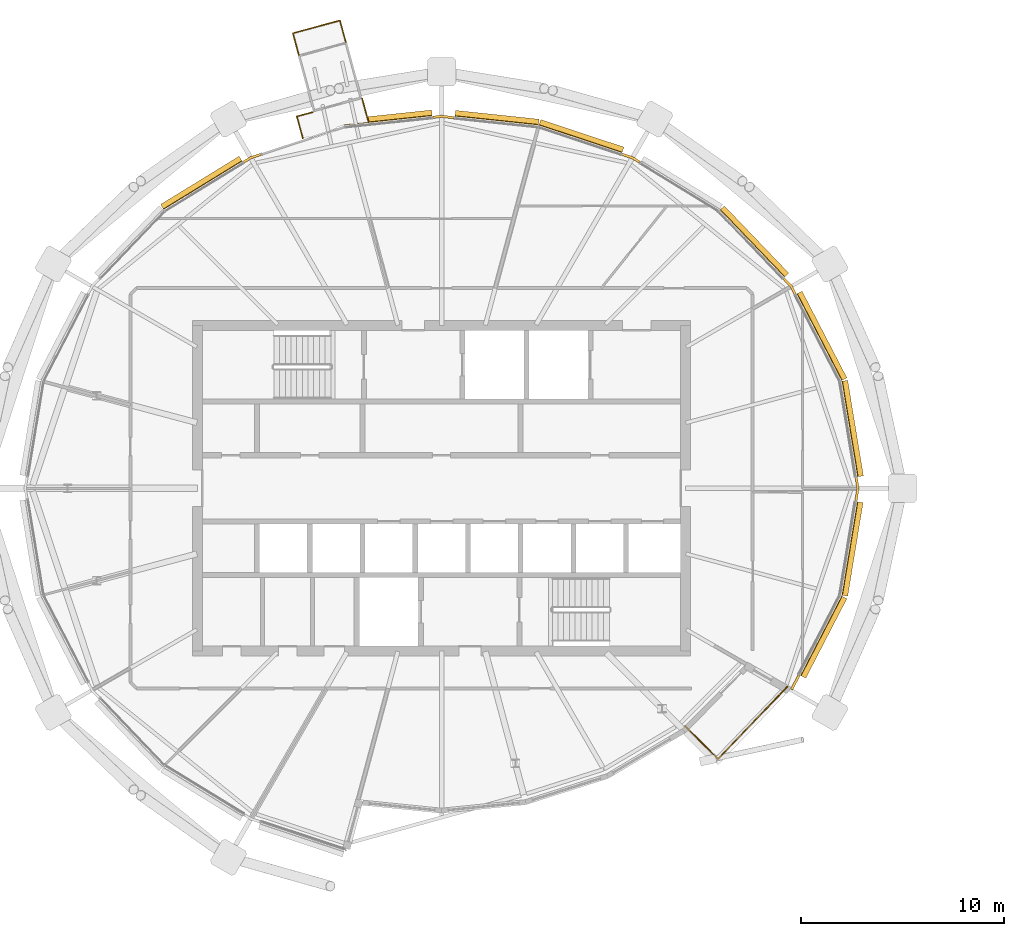
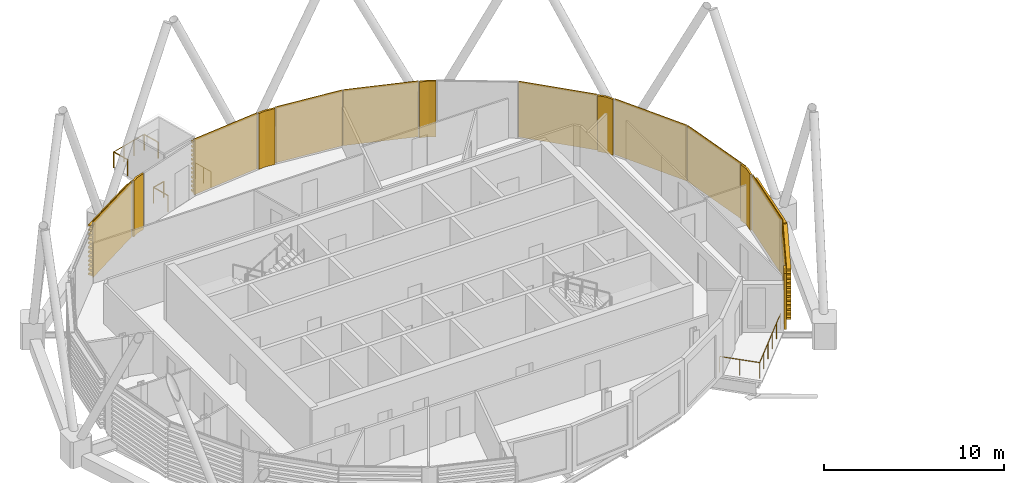
# One storey, part 29 of 32: 15 coverings, 7 railings.
"""IFC4 building model written with IfcOpenShell, lengths in metres."""

from ifc_helpers import new_model, si_unit, direction, frame, origin, origin_2d, place, context, subcontext, project, spatial, polyline, circle, outline, extrude, material, layer, layer_set, material_profile, profile_set, type_object, element, save


model = new_model("IFC4")

# Units and contexts
model_context = context("Model", 3, precision=1e-05, world=origin(), true_north=direction((0.0, 1.0)))
body_context = subcontext(model_context, "Body", "Model", "MODEL_VIEW")
ifc_project = project(units=[si_unit("LENGTHUNIT", "METRE"), si_unit("AREAUNIT", "SQUARE_METRE"), si_unit("VOLUMEUNIT", "CUBIC_METRE"), si_unit("PLANEANGLEUNIT", "RADIAN"), si_unit("MASSUNIT", "GRAM", prefix="KILO")], contexts=[model_context])

# Site, building, storey
site_placement = place(None, origin())
site = spatial("IfcSite", under=ifc_project, at=site_placement, CompositionType="ELEMENT")
building_placement = place(site_placement, origin())
building = spatial("IfcBuilding", under=site, at=building_placement, Name="Rimbun Link Towers", CompositionType="ELEMENT")
storey_placement = place(building_placement, frame((0.0, 0.0, 233.300048828125)))
storey = spatial("IfcBuildingStorey", under=building, at=storey_placement, Name="L57", CompositionType="ELEMENT", Elevation=233.300048828125)

# Railings
ifc_material_1 = material(Name="Stainless steel grade 316", Category="steel")
railing_type = type_object("IfcRailingType", Name="GUARD stainless rail and posts", PredefinedType="GUARDRAIL", material=ifc_material_1)
railing_1_placement = place(storey_placement, frame((-19.77294921875, -11.6943359375, 0.0)))
element("IfcRailing", 1, at=railing_1_placement, inside=storey, type_object=railing_type, Name="GUARD", PredefinedType="GUARDRAIL", context=body_context, shape_type="SweptSolid", body=[
    extrude(circle(Radius=0.02392578125, at=origin_2d()), frame((0.0, 0.0, 1.076171875), z_axis=(0.707159949109, -0.707053609267, 0.0), x_axis=(0.707053609267, 0.707159949109, 0.0)), (0.0, 0.0, 1.0), 2.2958984375),
    extrude(circle(Radius=0.02392578125, at=origin_2d()), frame((1.62353515625, -1.623291015625, 1.076171875), z_axis=(0.692046459696, 0.72185296122, 0.0), x_axis=(-0.72185296122, 0.692046459696, 0.0)), (0.0, 0.0, 1.0), 4.922607421875),
    extrude(circle(Radius=0.02099609375, at=origin_2d()), origin(), (0.0, 0.0, 1.0), 1.052001953125),
    extrude(circle(Radius=0.02099609375, at=origin_2d()), frame((0.811767578125, -0.8115234375, 0.0)), (0.0, 0.0, 1.0), 1.052001953125),
    extrude(circle(Radius=0.02099609375, at=origin_2d()), frame((1.62353515625, -1.623291015625, 0.0)), (0.0, 0.0, 1.0), 1.052001953125),
    extrude(circle(Radius=0.02099609375, at=origin_2d()), frame((2.304931640625, -0.91259765625, 0.0)), (0.0, 0.0, 1.0), 1.052001953125),
    extrude(circle(Radius=0.02099609375, at=origin_2d()), frame((2.986328125, -0.201904296875, 0.0)), (0.0, 0.0, 1.0), 1.052001953125),
    extrude(circle(Radius=0.02099609375, at=origin_2d()), frame((3.66748046875, 0.5087890625, 0.0)), (0.0, 0.0, 1.0), 1.052001953125),
    extrude(circle(Radius=0.02099609375, at=origin_2d()), frame((4.348876953125, 1.219482421875, 0.0)), (0.0, 0.0, 1.0), 1.052001953125),
    extrude(circle(Radius=0.02099609375, at=origin_2d()), frame((5.0302734375, 1.93017578125, 0.0)), (0.0, 0.0, 1.0), 1.052001953125),
])
railing_2_placement = place(storey_placement, frame((-36.462158203125, 21.953125, 0.0)))
element("IfcRailing", 2, at=railing_2_placement, inside=storey, type_object=railing_type, Name="GUARD D571.01 balcony", PredefinedType="GUARDRAIL", context=body_context, shape_type="SweptSolid", body=[
    extrude(circle(Radius=0.02392578125, at=origin_2d()), frame((0.0, 0.0, 1.076171875), z_axis=(-0.261708438276, 0.965146980172, 0.0), x_axis=(-0.965146980172, -0.261708438276, 0.0)), (0.0, 0.0, 1.0), 1.099853515625),
    extrude(circle(Radius=0.02099609375, at=origin_2d()), origin(), (0.0, 0.0, 1.0), 1.052001953125),
    extrude(circle(Radius=0.02099609375, at=origin_2d()), frame((-0.287841796875, 1.0615234375, 0.0)), (0.0, 0.0, 1.0), 1.052001953125),
])
railing_3_placement = place(storey_placement, frame((-36.75, 23.0146484375, 0.0)))
element("IfcRailing", 3, at=railing_3_placement, inside=storey, type_object=railing_type, Name="GUARD D571.01 balcony", PredefinedType="GUARDRAIL", context=body_context, shape_type="SweptSolid", body=[
    extrude(circle(Radius=0.02392578125, at=origin_2d()), frame((0.0, 0.0, 1.076171875), z_axis=(-0.965115063511, -0.261826114405, 0.0), x_axis=(0.261826114405, -0.965115063511, 0.0)), (0.0, 0.0, 1.0), 2.400146484375),
    extrude(circle(Radius=0.02099609375, at=origin_2d()), origin(), (0.0, 0.0, 1.0), 1.052001953125),
    extrude(circle(Radius=0.02099609375, at=origin_2d()), frame((-0.772216796875, -0.20947265625, 0.0)), (0.0, 0.0, 1.0), 1.052001953125),
    extrude(circle(Radius=0.02099609375, at=origin_2d()), frame((-1.544189453125, -0.4189453125, 0.0)), (0.0, 0.0, 1.0), 1.052001953125),
    extrude(circle(Radius=0.02099609375, at=origin_2d()), frame((-2.31640625, -0.62841796875, 0.0)), (0.0, 0.0, 1.0), 1.052001953125),
])
railing_4_placement = place(storey_placement, frame((-39.06640625, 22.38623046875, 0.0)))
element("IfcRailing", 4, at=railing_4_placement, inside=storey, type_object=railing_type, Name="GUARD D571.01 balcony", PredefinedType="GUARDRAIL", context=body_context, shape_type="SweptSolid", body=[
    extrude(circle(Radius=0.02392578125, at=origin_2d()), frame((0.0, 0.0, 1.076171875), z_axis=(0.261915191828, -0.965090893279, 0.0), x_axis=(0.965090893279, 0.261915191828, 0.0)), (0.0, 0.0, 1.0), 1.099853515625),
    extrude(circle(Radius=0.02099609375, at=origin_2d()), origin(), (0.0, 0.0, 1.0), 1.052001953125),
    extrude(circle(Radius=0.02099609375, at=origin_2d()), frame((0.2880859375, -1.0615234375, 0.0)), (0.0, 0.0, 1.0), 1.052001953125),
])
railing_5_placement = place(storey_placement, frame((-38.871337890625, 18.294677734375, 0.0)))
element("IfcRailing", 5, at=railing_5_placement, inside=storey, type_object=railing_type, Name="GUARD D571 gallery", PredefinedType="GUARDRAIL", context=body_context, shape_type="SweptSolid", body=[
    extrude(circle(Radius=0.02392578125, at=origin_2d()), frame((0.0, 0.0, 1.076171875), z_axis=(0.261872945321, -0.965102357529, 0.0), x_axis=(0.965102357529, 0.261872945321, 0.0)), (0.0, 0.0, 1.0), 1.12890625),
    extrude(circle(Radius=0.02099609375, at=origin_2d()), origin(), (0.0, 0.0, 1.0), 1.052001953125),
    extrude(circle(Radius=0.02099609375, at=origin_2d()), frame((0.295654296875, -1.089599609375, 0.0)), (0.0, 0.0, 1.0), 1.052001953125),
])
railing_6_placement = place(storey_placement, frame((-35.654541015625, 19.167236328125, 0.0)))
element("IfcRailing", 6, at=railing_6_placement, inside=storey, type_object=railing_type, Name="GUARD D571 gallery", PredefinedType="GUARDRAIL", context=body_context, shape_type="SweptSolid", body=[
    extrude(circle(Radius=0.02392578125, at=origin_2d()), frame((0.0, 0.0, 1.076171875), z_axis=(0.261896563723, -0.965095948551, 0.0), x_axis=(0.965095948551, 0.261896563723, 0.0)), (0.0, 0.0, 1.0), 1.20166015625),
    extrude(circle(Radius=0.02099609375, at=origin_2d()), origin(), (0.0, 0.0, 1.0), 1.052001953125),
    extrude(circle(Radius=0.02099609375, at=origin_2d()), frame((0.1572265625, -0.579833984375, 0.0)), (0.0, 0.0, 1.0), 1.052001953125),
    extrude(circle(Radius=0.02099609375, at=origin_2d()), frame((0.314697265625, -1.15966796875, 0.0)), (0.0, 0.0, 1.0), 1.052001953125),
])
railing_7_placement = place(storey_placement, frame((-38.871337890625, 18.294677734375, 0.0)))
element("IfcRailing", 7, at=railing_7_placement, inside=storey, type_object=railing_type, Name="GUARD D571 gallery", PredefinedType="GUARDRAIL", context=body_context, shape_type="SweptSolid", body=[
    extrude(circle(Radius=0.02392578125, at=origin_2d()), frame((0.0, 0.0, 1.076171875), z_axis=(0.965141629258, 0.261728170958, 0.0), x_axis=(-0.261728170958, 0.965141629258, 0.0)), (0.0, 0.0, 1.0), 0.80322265625),
    extrude(circle(Radius=0.02099609375, at=origin_2d()), origin(), (0.0, 0.0, 1.0), 1.052001953125),
    extrude(circle(Radius=0.02099609375, at=origin_2d()), frame((0.775146484375, 0.210205078125, 0.0)), (0.0, 0.0, 1.0), 1.052001953125),
])

# Coverings
ifc_material_2 = material(Name="Terracotta", Category="masonry")
ifc_layer = layer(ifc_material_2, 0.1201171875)
ifc_layer_set = layer_set([ifc_layer], Name="LINK PIER terracotta cladding 120")
covering_type_1 = type_object("IfcCoveringType", Name="LINK PIER terracotta cladding 120", PredefinedType="CLADDING", material=ifc_layer_set)
covering_1_placement = place(storey_placement, origin())
element("IfcCovering", 8, at=covering_1_placement, inside=storey, type_object=covering_type_1, Name="LINK PIER cladding", PredefinedType="CLADDING", context=body_context, shape_type="SweptSolid", body=[
    extrude(outline(polyline([(-11.4091796875, 0.51318359375), (-11.32470703125, 0.0), (-11.42529296875, -0.61181640625), (-11.306884765625, -0.63134765625), (-11.203125, 0.0), (-11.290771484375, 0.532470703125), (-11.4091796875, 0.51318359375)])), origin(), (0.0, 0.0, 1.0), 3.800048828125),
])
covering_2_placement = place(storey_placement, origin())
element("IfcCovering", 9, at=covering_2_placement, inside=storey, type_object=covering_type_1, Name="LINK PIER cladding", PredefinedType="CLADDING", context=body_context, shape_type="SweptSolid", body=[
    extrude(outline(polyline([(-14.958251953125, 10.278076171875), (-14.598388671875, 9.902587890625), (-14.4052734375, 9.529541015625), (-14.298828125, 9.584716796875), (-14.499755859375, 9.97314453125), (-14.87158203125, 10.361083984375), (-14.958251953125, 10.278076171875)])), origin(), (0.0, 0.0, 1.0), 3.800048828125),
])
covering_3_placement = place(storey_placement, origin())
element("IfcCovering", 10, at=covering_3_placement, inside=storey, type_object=covering_type_1, Name="LINK PIER cladding", PredefinedType="CLADDING", context=body_context, shape_type="SweptSolid", body=[
    extrude(outline(polyline([(-22.885009765625, 16.373291015625), (-22.391357421875, 16.209716796875), (-22.033447265625, 15.989990234375), (-21.970703125, 16.09228515625), (-22.34033203125, 16.3193359375), (-22.84716796875, 16.4873046875), (-22.885009765625, 16.373291015625)])), origin(), (0.0, 0.0, 1.0), 3.800048828125),
])
covering_4_placement = place(storey_placement, origin())
element("IfcCovering", 11, at=covering_4_placement, inside=storey, type_object=covering_type_1, Name="LINK PIER cladding", PredefinedType="CLADDING", context=body_context, shape_type="SweptSolid", body=[
    extrude(outline(polyline([(-32.167724609375, 18.19287109375), (-31.75, 18.23681640625), (-31.13330078125, 18.171875), (-31.120849609375, 18.291259765625), (-31.75, 18.357421875), (-32.18017578125, 18.312255859375), (-32.167724609375, 18.19287109375)])), origin(), (0.0, 0.0, 1.0), 3.800048828125),
])
covering_5_placement = place(storey_placement, origin())
element("IfcCovering", 12, at=covering_5_placement, inside=storey, type_object=covering_type_1, Name="LINK PIER cladding", PredefinedType="CLADDING", context=body_context, shape_type="SweptSolid", body=[
    extrude(outline(polyline([(-41.466552734375, 15.989990234375), (-41.108642578125, 16.209716796875), (-40.614990234375, 16.373291015625), (-40.65283203125, 16.4873046875), (-41.15966796875, 16.3193359375), (-41.529296875, 16.09228515625), (-41.466552734375, 15.989990234375)])), origin(), (0.0, 0.0, 1.0), 3.800048828125),
])
covering_6_placement = place(storey_placement, origin())
element("IfcCovering", 13, at=covering_6_placement, inside=storey, type_object=covering_type_1, Name="LINK PIER cladding", PredefinedType="CLADDING", context=body_context, shape_type="SweptSolid", body=[
    extrude(outline(polyline([(-14.221435546875, -9.17431640625), (-14.58447265625, -9.8759765625), (-14.47802734375, -9.93115234375), (-14.114990234375, -9.2294921875), (-14.221435546875, -9.17431640625)])), origin(), (0.0, 0.0, 1.0), 3.800048828125),
])
ifc_material_3 = material(Name="Terracotta", Category="masonry")
ifc_material_profile = material_profile(ifc_material_3, outline(polyline([(0.123046875, 0.0), (0.1630859375, 0.0), (0.1630859375, 0.10009765625), (0.423095703125, 0.10009765625), (0.423095703125, 0.219970703125), (0.1630859375, 0.219970703125), (0.1630859375, 0.39990234375), (0.423095703125, 0.39990234375), (0.423095703125, 0.52001953125), (0.1630859375, 0.52001953125), (0.1630859375, 0.699951171875), (0.423095703125, 0.699951171875), (0.423095703125, 0.820068359375), (0.1630859375, 0.820068359375), (0.1630859375, 1.0), (0.423095703125, 1.0), (0.423095703125, 1.1201171875), (0.1630859375, 1.1201171875), (0.1630859375, 1.300048828125), (0.423095703125, 1.300048828125), (0.423095703125, 1.419921875), (0.1630859375, 1.419921875), (0.1630859375, 1.60009765625), (0.423095703125, 1.60009765625), (0.423095703125, 1.719970703125), (0.1630859375, 1.719970703125), (0.1630859375, 1.89990234375), (0.423095703125, 1.89990234375), (0.423095703125, 2.02001953125), (0.1630859375, 2.02001953125), (0.1630859375, 2.199951171875), (0.423095703125, 2.199951171875), (0.423095703125, 2.320068359375), (0.1630859375, 2.320068359375), (0.1630859375, 2.5), (0.423095703125, 2.5), (0.423095703125, 2.6201171875), (0.1630859375, 2.6201171875), (0.1630859375, 2.800048828125), (0.423095703125, 2.800048828125), (0.423095703125, 2.919921875), (0.1630859375, 2.919921875), (0.1630859375, 3.10009765625), (0.423095703125, 3.10009765625), (0.423095703125, 3.219970703125), (0.1630859375, 3.219970703125), (0.1630859375, 3.39990234375), (0.423095703125, 3.39990234375), (0.423095703125, 3.52001953125), (0.1630859375, 3.52001953125), (0.1630859375, 3.800048828125), (0.123046875, 3.800048828125), (0.123046875, 0.0)])), Name="BAGUETTE 120X300")
ifc_profile_set = profile_set([ifc_material_profile], Name="Terracotta")
covering_type_2 = type_object("IfcCoveringType", Name="TERRACOTTA BAGUETTE 120X300 H3800", PredefinedType="CLADDING", material=ifc_profile_set)
covering_7_placement = place(storey_placement, frame((-12.186767578125, 5.241943359375, 0.0), z_axis=(0.162253781164, -0.986749061564, 0.0), x_axis=(0.986749061564, 0.162253781164, 0.0)))
element("IfcCovering", 14, at=covering_7_placement, inside=storey, type_object=covering_type_2, Name="TERRACOTTA BAGUETTE", PredefinedType="CLADDING", context=body_context, shape_type="SweptSolid", body=[
    extrude(outline(polyline([(0.123046875, 0.0), (0.1630859375, 0.0), (0.1630859375, 0.10009765625), (0.423095703125, 0.10009765625), (0.423095703125, 0.219970703125), (0.1630859375, 0.219970703125), (0.1630859375, 0.39990234375), (0.423095703125, 0.39990234375), (0.423095703125, 0.52001953125), (0.1630859375, 0.52001953125), (0.1630859375, 0.699951171875), (0.423095703125, 0.699951171875), (0.423095703125, 0.820068359375), (0.1630859375, 0.820068359375), (0.1630859375, 1.0), (0.423095703125, 1.0), (0.423095703125, 1.1201171875), (0.1630859375, 1.1201171875), (0.1630859375, 1.300048828125), (0.423095703125, 1.300048828125), (0.423095703125, 1.419921875), (0.1630859375, 1.419921875), (0.1630859375, 1.60009765625), (0.423095703125, 1.60009765625), (0.423095703125, 1.719970703125), (0.1630859375, 1.719970703125), (0.1630859375, 1.89990234375), (0.423095703125, 1.89990234375), (0.423095703125, 2.02001953125), (0.1630859375, 2.02001953125), (0.1630859375, 2.199951171875), (0.423095703125, 2.199951171875), (0.423095703125, 2.320068359375), (0.1630859375, 2.320068359375), (0.1630859375, 2.5), (0.423095703125, 2.5), (0.423095703125, 2.6201171875), (0.1630859375, 2.6201171875), (0.1630859375, 2.800048828125), (0.423095703125, 2.800048828125), (0.423095703125, 2.919921875), (0.1630859375, 2.919921875), (0.1630859375, 3.10009765625), (0.423095703125, 3.10009765625), (0.423095703125, 3.219970703125), (0.1630859375, 3.219970703125), (0.1630859375, 3.39990234375), (0.423095703125, 3.39990234375), (0.423095703125, 3.52001953125), (0.1630859375, 3.52001953125), (0.1630859375, 3.800048828125), (0.123046875, 3.800048828125), (0.123046875, 0.0)])), origin(), (0.0, 0.0, 1.0), 4.76220703125),
])
covering_8_placement = place(storey_placement, frame((-14.3916015625, 9.5029296875, 0.0), z_axis=(0.459566887816, -0.888143161671, 0.0), x_axis=(0.888143161671, 0.459566887816, 0.0)))
element("IfcCovering", 15, at=covering_8_placement, inside=storey, type_object=covering_type_2, Name="TERRACOTTA BAGUETTE", PredefinedType="CLADDING", context=body_context, shape_type="SweptSolid", body=[
    extrude(outline(polyline([(0.123046875, 0.0), (0.1630859375, 0.0), (0.1630859375, 0.10009765625), (0.423095703125, 0.10009765625), (0.423095703125, 0.219970703125), (0.1630859375, 0.219970703125), (0.1630859375, 0.39990234375), (0.423095703125, 0.39990234375), (0.423095703125, 0.52001953125), (0.1630859375, 0.52001953125), (0.1630859375, 0.699951171875), (0.423095703125, 0.699951171875), (0.423095703125, 0.820068359375), (0.1630859375, 0.820068359375), (0.1630859375, 1.0), (0.423095703125, 1.0), (0.423095703125, 1.1201171875), (0.1630859375, 1.1201171875), (0.1630859375, 1.300048828125), (0.423095703125, 1.300048828125), (0.423095703125, 1.419921875), (0.1630859375, 1.419921875), (0.1630859375, 1.60009765625), (0.423095703125, 1.60009765625), (0.423095703125, 1.719970703125), (0.1630859375, 1.719970703125), (0.1630859375, 1.89990234375), (0.423095703125, 1.89990234375), (0.423095703125, 2.02001953125), (0.1630859375, 2.02001953125), (0.1630859375, 2.199951171875), (0.423095703125, 2.199951171875), (0.423095703125, 2.320068359375), (0.1630859375, 2.320068359375), (0.1630859375, 2.5), (0.423095703125, 2.5), (0.423095703125, 2.6201171875), (0.1630859375, 2.6201171875), (0.1630859375, 2.800048828125), (0.423095703125, 2.800048828125), (0.423095703125, 2.919921875), (0.1630859375, 2.919921875), (0.1630859375, 3.10009765625), (0.423095703125, 3.10009765625), (0.423095703125, 3.219970703125), (0.1630859375, 3.219970703125), (0.1630859375, 3.39990234375), (0.423095703125, 3.39990234375), (0.423095703125, 3.52001953125), (0.1630859375, 3.52001953125), (0.1630859375, 3.800048828125), (0.123046875, 3.800048828125), (0.123046875, 0.0)])), origin(), (0.0, 0.0, 1.0), 4.797607421875),
])
covering_9_placement = place(storey_placement, frame((-18.146484375, 13.603515625, 0.0), z_axis=(0.69204089891, -0.721858292351, 0.0), x_axis=(0.721858292351, 0.69204089891, 0.0)))
element("IfcCovering", 16, at=covering_9_placement, inside=storey, type_object=covering_type_2, Name="TERRACOTTA BAGUETTE", PredefinedType="CLADDING", context=body_context, shape_type="SweptSolid", body=[
    extrude(outline(polyline([(0.123046875, 0.0), (0.1630859375, 0.0), (0.1630859375, 0.10009765625), (0.423095703125, 0.10009765625), (0.423095703125, 0.219970703125), (0.1630859375, 0.219970703125), (0.1630859375, 0.39990234375), (0.423095703125, 0.39990234375), (0.423095703125, 0.52001953125), (0.1630859375, 0.52001953125), (0.1630859375, 0.699951171875), (0.423095703125, 0.699951171875), (0.423095703125, 0.820068359375), (0.1630859375, 0.820068359375), (0.1630859375, 1.0), (0.423095703125, 1.0), (0.423095703125, 1.1201171875), (0.1630859375, 1.1201171875), (0.1630859375, 1.300048828125), (0.423095703125, 1.300048828125), (0.423095703125, 1.419921875), (0.1630859375, 1.419921875), (0.1630859375, 1.60009765625), (0.423095703125, 1.60009765625), (0.423095703125, 1.719970703125), (0.1630859375, 1.719970703125), (0.1630859375, 1.89990234375), (0.423095703125, 1.89990234375), (0.423095703125, 2.02001953125), (0.1630859375, 2.02001953125), (0.1630859375, 2.199951171875), (0.423095703125, 2.199951171875), (0.423095703125, 2.320068359375), (0.1630859375, 2.320068359375), (0.1630859375, 2.5), (0.423095703125, 2.5), (0.423095703125, 2.6201171875), (0.1630859375, 2.6201171875), (0.1630859375, 2.800048828125), (0.423095703125, 2.800048828125), (0.423095703125, 2.919921875), (0.1630859375, 2.919921875), (0.1630859375, 3.10009765625), (0.423095703125, 3.10009765625), (0.423095703125, 3.219970703125), (0.1630859375, 3.219970703125), (0.1630859375, 3.39990234375), (0.423095703125, 3.39990234375), (0.423095703125, 3.52001953125), (0.1630859375, 3.52001953125), (0.1630859375, 3.800048828125), (0.123046875, 3.800048828125), (0.123046875, 0.0)])), origin(), (0.0, 0.0, 1.0), 4.576904296875),
])
covering_10_placement = place(storey_placement, frame((-26.99755859375, 17.736328125, 0.0), z_axis=(0.949232255802, -0.314576102945, 0.0), x_axis=(0.314576102945, 0.949232255802, 0.0)))
element("IfcCovering", 17, at=covering_10_placement, inside=storey, type_object=covering_type_2, Name="TERRACOTTA BAGUETTE", PredefinedType="CLADDING", context=body_context, shape_type="SweptSolid", body=[
    extrude(outline(polyline([(0.123046875, 0.0), (0.1630859375, 0.0), (0.1630859375, 0.10009765625), (0.423095703125, 0.10009765625), (0.423095703125, 0.219970703125), (0.1630859375, 0.219970703125), (0.1630859375, 0.39990234375), (0.423095703125, 0.39990234375), (0.423095703125, 0.52001953125), (0.1630859375, 0.52001953125), (0.1630859375, 0.699951171875), (0.423095703125, 0.699951171875), (0.423095703125, 0.820068359375), (0.1630859375, 0.820068359375), (0.1630859375, 1.0), (0.423095703125, 1.0), (0.423095703125, 1.1201171875), (0.1630859375, 1.1201171875), (0.1630859375, 1.300048828125), (0.423095703125, 1.300048828125), (0.423095703125, 1.419921875), (0.1630859375, 1.419921875), (0.1630859375, 1.60009765625), (0.423095703125, 1.60009765625), (0.423095703125, 1.719970703125), (0.1630859375, 1.719970703125), (0.1630859375, 1.89990234375), (0.423095703125, 1.89990234375), (0.423095703125, 2.02001953125), (0.1630859375, 2.02001953125), (0.1630859375, 2.199951171875), (0.423095703125, 2.199951171875), (0.423095703125, 2.320068359375), (0.1630859375, 2.320068359375), (0.1630859375, 2.5), (0.423095703125, 2.5), (0.423095703125, 2.6201171875), (0.1630859375, 2.6201171875), (0.1630859375, 2.800048828125), (0.423095703125, 2.800048828125), (0.423095703125, 2.919921875), (0.1630859375, 2.919921875), (0.1630859375, 3.10009765625), (0.423095703125, 3.10009765625), (0.423095703125, 3.219970703125), (0.1630859375, 3.219970703125), (0.1630859375, 3.39990234375), (0.423095703125, 3.39990234375), (0.423095703125, 3.52001953125), (0.1630859375, 3.52001953125), (0.1630859375, 3.800048828125), (0.123046875, 3.800048828125), (0.123046875, 0.0)])), origin(), (0.0, 0.0, 1.0), 4.302734375),
])
covering_11_placement = place(storey_placement, frame((-31.103515625, 18.168701171875, 0.0), z_axis=(0.994501239892, -0.104724800562, 0.0), x_axis=(0.104724800562, 0.994501239892, 0.0)))
element("IfcCovering", 18, at=covering_11_placement, inside=storey, type_object=covering_type_2, Name="TERRACOTTA BAGUETTE", PredefinedType="CLADDING", context=body_context, shape_type="SweptSolid", body=[
    extrude(outline(polyline([(0.123046875, 0.0), (0.1630859375, 0.0), (0.1630859375, 0.10009765625), (0.423095703125, 0.10009765625), (0.423095703125, 0.219970703125), (0.1630859375, 0.219970703125), (0.1630859375, 0.39990234375), (0.423095703125, 0.39990234375), (0.423095703125, 0.52001953125), (0.1630859375, 0.52001953125), (0.1630859375, 0.699951171875), (0.423095703125, 0.699951171875), (0.423095703125, 0.820068359375), (0.1630859375, 0.820068359375), (0.1630859375, 1.0), (0.423095703125, 1.0), (0.423095703125, 1.1201171875), (0.1630859375, 1.1201171875), (0.1630859375, 1.300048828125), (0.423095703125, 1.300048828125), (0.423095703125, 1.419921875), (0.1630859375, 1.419921875), (0.1630859375, 1.60009765625), (0.423095703125, 1.60009765625), (0.423095703125, 1.719970703125), (0.1630859375, 1.719970703125), (0.1630859375, 1.89990234375), (0.423095703125, 1.89990234375), (0.423095703125, 2.02001953125), (0.1630859375, 2.02001953125), (0.1630859375, 2.199951171875), (0.423095703125, 2.199951171875), (0.423095703125, 2.320068359375), (0.1630859375, 2.320068359375), (0.1630859375, 2.5), (0.423095703125, 2.5), (0.423095703125, 2.6201171875), (0.1630859375, 2.6201171875), (0.1630859375, 2.800048828125), (0.423095703125, 2.800048828125), (0.423095703125, 2.919921875), (0.1630859375, 2.919921875), (0.1630859375, 3.10009765625), (0.423095703125, 3.10009765625), (0.423095703125, 3.219970703125), (0.1630859375, 3.219970703125), (0.1630859375, 3.39990234375), (0.423095703125, 3.39990234375), (0.423095703125, 3.52001953125), (0.1630859375, 3.52001953125), (0.1630859375, 3.800048828125), (0.123046875, 3.800048828125), (0.123046875, 0.0)])), origin(), (0.0, 0.0, 1.0), 4.128662109375),
])
covering_12_placement = place(storey_placement, frame((-36.50244140625, 17.736328125, 0.0), z_axis=(0.994500197976, 0.104734694473, 0.0), x_axis=(-0.104734694473, 0.994500197976, 0.0)))
element("IfcCovering", 19, at=covering_12_placement, inside=storey, type_object=covering_type_2, Name="TERRACOTTA BAGUETTE", PredefinedType="CLADDING", context=body_context, shape_type="SweptSolid", body=[
    extrude(outline(polyline([(0.123046875, 0.0), (0.1630859375, 0.0), (0.1630859375, 0.10009765625), (0.423095703125, 0.10009765625), (0.423095703125, 0.219970703125), (0.1630859375, 0.219970703125), (0.1630859375, 0.39990234375), (0.423095703125, 0.39990234375), (0.423095703125, 0.52001953125), (0.1630859375, 0.52001953125), (0.1630859375, 0.699951171875), (0.423095703125, 0.699951171875), (0.423095703125, 0.820068359375), (0.1630859375, 0.820068359375), (0.1630859375, 1.0), (0.423095703125, 1.0), (0.423095703125, 1.1201171875), (0.1630859375, 1.1201171875), (0.1630859375, 1.300048828125), (0.423095703125, 1.300048828125), (0.423095703125, 1.419921875), (0.1630859375, 1.419921875), (0.1630859375, 1.60009765625), (0.423095703125, 1.60009765625), (0.423095703125, 1.719970703125), (0.1630859375, 1.719970703125), (0.1630859375, 1.89990234375), (0.423095703125, 1.89990234375), (0.423095703125, 2.02001953125), (0.1630859375, 2.02001953125), (0.1630859375, 2.199951171875), (0.423095703125, 2.199951171875), (0.423095703125, 2.320068359375), (0.1630859375, 2.320068359375), (0.1630859375, 2.5), (0.423095703125, 2.5), (0.423095703125, 2.6201171875), (0.1630859375, 2.6201171875), (0.1630859375, 2.800048828125), (0.423095703125, 2.800048828125), (0.423095703125, 2.919921875), (0.1630859375, 2.919921875), (0.1630859375, 3.10009765625), (0.423095703125, 3.10009765625), (0.423095703125, 3.219970703125), (0.1630859375, 3.219970703125), (0.1630859375, 3.39990234375), (0.423095703125, 3.39990234375), (0.423095703125, 3.52001953125), (0.1630859375, 3.52001953125), (0.1630859375, 3.800048828125), (0.123046875, 3.800048828125), (0.123046875, 0.0)])), origin(), (0.0, 0.0, 1.0), 4.328857421875),
])
covering_13_placement = place(storey_placement, frame((-45.353515625, 13.603515625, 0.0), z_axis=(0.852185135295, 0.523240379923, 0.0), x_axis=(-0.523240379923, 0.852185135295, 0.0)))
element("IfcCovering", 20, at=covering_13_placement, inside=storey, type_object=covering_type_2, Name="TERRACOTTA BAGUETTE", PredefinedType="CLADDING", context=body_context, shape_type="SweptSolid", body=[
    extrude(outline(polyline([(0.123046875, 0.0), (0.1630859375, 0.0), (0.1630859375, 0.10009765625), (0.423095703125, 0.10009765625), (0.423095703125, 0.219970703125), (0.1630859375, 0.219970703125), (0.1630859375, 0.39990234375), (0.423095703125, 0.39990234375), (0.423095703125, 0.52001953125), (0.1630859375, 0.52001953125), (0.1630859375, 0.699951171875), (0.423095703125, 0.699951171875), (0.423095703125, 0.820068359375), (0.1630859375, 0.820068359375), (0.1630859375, 1.0), (0.423095703125, 1.0), (0.423095703125, 1.1201171875), (0.1630859375, 1.1201171875), (0.1630859375, 1.300048828125), (0.423095703125, 1.300048828125), (0.423095703125, 1.419921875), (0.1630859375, 1.419921875), (0.1630859375, 1.60009765625), (0.423095703125, 1.60009765625), (0.423095703125, 1.719970703125), (0.1630859375, 1.719970703125), (0.1630859375, 1.89990234375), (0.423095703125, 1.89990234375), (0.423095703125, 2.02001953125), (0.1630859375, 2.02001953125), (0.1630859375, 2.199951171875), (0.423095703125, 2.199951171875), (0.423095703125, 2.320068359375), (0.1630859375, 2.320068359375), (0.1630859375, 2.5), (0.423095703125, 2.5), (0.423095703125, 2.6201171875), (0.1630859375, 2.6201171875), (0.1630859375, 2.800048828125), (0.423095703125, 2.800048828125), (0.423095703125, 2.919921875), (0.1630859375, 2.919921875), (0.1630859375, 3.10009765625), (0.423095703125, 3.10009765625), (0.423095703125, 3.219970703125), (0.1630859375, 3.219970703125), (0.1630859375, 3.39990234375), (0.423095703125, 3.39990234375), (0.423095703125, 3.52001953125), (0.1630859375, 3.52001953125), (0.1630859375, 3.800048828125), (0.123046875, 3.800048828125), (0.123046875, 0.0)])), origin(), (0.0, 0.0, 1.0), 4.531005859375),
])
covering_14_placement = place(storey_placement, frame((-12.186767578125, -5.241943359375, 0.0), z_axis=(-0.459561859613, -0.888145763481, 0.0), x_axis=(0.888145763481, -0.459561859613, 0.0)))
element("IfcCovering", 21, at=covering_14_placement, inside=storey, type_object=covering_type_2, Name="TERRACOTTA BAGUETTE", PredefinedType="CLADDING", context=body_context, shape_type="SweptSolid", body=[
    extrude(outline(polyline([(0.123046875, 0.0), (0.1630859375, 0.0), (0.1630859375, 0.10009765625), (0.423095703125, 0.10009765625), (0.423095703125, 0.219970703125), (0.1630859375, 0.219970703125), (0.1630859375, 0.39990234375), (0.423095703125, 0.39990234375), (0.423095703125, 0.52001953125), (0.1630859375, 0.52001953125), (0.1630859375, 0.699951171875), (0.423095703125, 0.699951171875), (0.423095703125, 0.820068359375), (0.1630859375, 0.820068359375), (0.1630859375, 1.0), (0.423095703125, 1.0), (0.423095703125, 1.1201171875), (0.1630859375, 1.1201171875), (0.1630859375, 1.300048828125), (0.423095703125, 1.300048828125), (0.423095703125, 1.419921875), (0.1630859375, 1.419921875), (0.1630859375, 1.60009765625), (0.423095703125, 1.60009765625), (0.423095703125, 1.719970703125), (0.1630859375, 1.719970703125), (0.1630859375, 1.89990234375), (0.423095703125, 1.89990234375), (0.423095703125, 2.02001953125), (0.1630859375, 2.02001953125), (0.1630859375, 2.199951171875), (0.423095703125, 2.199951171875), (0.423095703125, 2.320068359375), (0.1630859375, 2.320068359375), (0.1630859375, 2.5), (0.423095703125, 2.5), (0.423095703125, 2.6201171875), (0.1630859375, 2.6201171875), (0.1630859375, 2.800048828125), (0.423095703125, 2.800048828125), (0.423095703125, 2.919921875), (0.1630859375, 2.919921875), (0.1630859375, 3.10009765625), (0.423095703125, 3.10009765625), (0.423095703125, 3.219970703125), (0.1630859375, 3.219970703125), (0.1630859375, 3.39990234375), (0.423095703125, 3.39990234375), (0.423095703125, 3.52001953125), (0.1630859375, 3.52001953125), (0.1630859375, 3.800048828125), (0.123046875, 3.800048828125), (0.123046875, 0.0)])), origin(), (0.0, 0.0, 1.0), 4.397705078125),
])
covering_15_placement = place(storey_placement, frame((-11.43017578125, -0.641357421875, 0.0), z_axis=(-0.162275745515, -0.986745449656, 0.0), x_axis=(0.986745449656, -0.162275745515, 0.0)))
element("IfcCovering", 22, at=covering_15_placement, inside=storey, type_object=covering_type_2, Name="TERRACOTTA BAGUETTE", PredefinedType="CLADDING", context=body_context, shape_type="SweptSolid", body=[
    extrude(outline(polyline([(0.123046875, 0.0), (0.1630859375, 0.0), (0.1630859375, 0.10009765625), (0.423095703125, 0.10009765625), (0.423095703125, 0.219970703125), (0.1630859375, 0.219970703125), (0.1630859375, 0.39990234375), (0.423095703125, 0.39990234375), (0.423095703125, 0.52001953125), (0.1630859375, 0.52001953125), (0.1630859375, 0.699951171875), (0.423095703125, 0.699951171875), (0.423095703125, 0.820068359375), (0.1630859375, 0.820068359375), (0.1630859375, 1.0), (0.423095703125, 1.0), (0.423095703125, 1.1201171875), (0.1630859375, 1.1201171875), (0.1630859375, 1.300048828125), (0.423095703125, 1.300048828125), (0.423095703125, 1.419921875), (0.1630859375, 1.419921875), (0.1630859375, 1.60009765625), (0.423095703125, 1.60009765625), (0.423095703125, 1.719970703125), (0.1630859375, 1.719970703125), (0.1630859375, 1.89990234375), (0.423095703125, 1.89990234375), (0.423095703125, 2.02001953125), (0.1630859375, 2.02001953125), (0.1630859375, 2.199951171875), (0.423095703125, 2.199951171875), (0.423095703125, 2.320068359375), (0.1630859375, 2.320068359375), (0.1630859375, 2.5), (0.423095703125, 2.5), (0.423095703125, 2.6201171875), (0.1630859375, 2.6201171875), (0.1630859375, 2.800048828125), (0.423095703125, 2.800048828125), (0.423095703125, 2.919921875), (0.1630859375, 2.919921875), (0.1630859375, 3.10009765625), (0.423095703125, 3.10009765625), (0.423095703125, 3.219970703125), (0.1630859375, 3.219970703125), (0.1630859375, 3.39990234375), (0.423095703125, 3.39990234375), (0.423095703125, 3.52001953125), (0.1630859375, 3.52001953125), (0.1630859375, 3.800048828125), (0.123046875, 3.800048828125), (0.123046875, 0.0)])), origin(), (0.0, 0.0, 1.0), 4.662353515625),
])

save(model, "model.ifc")
